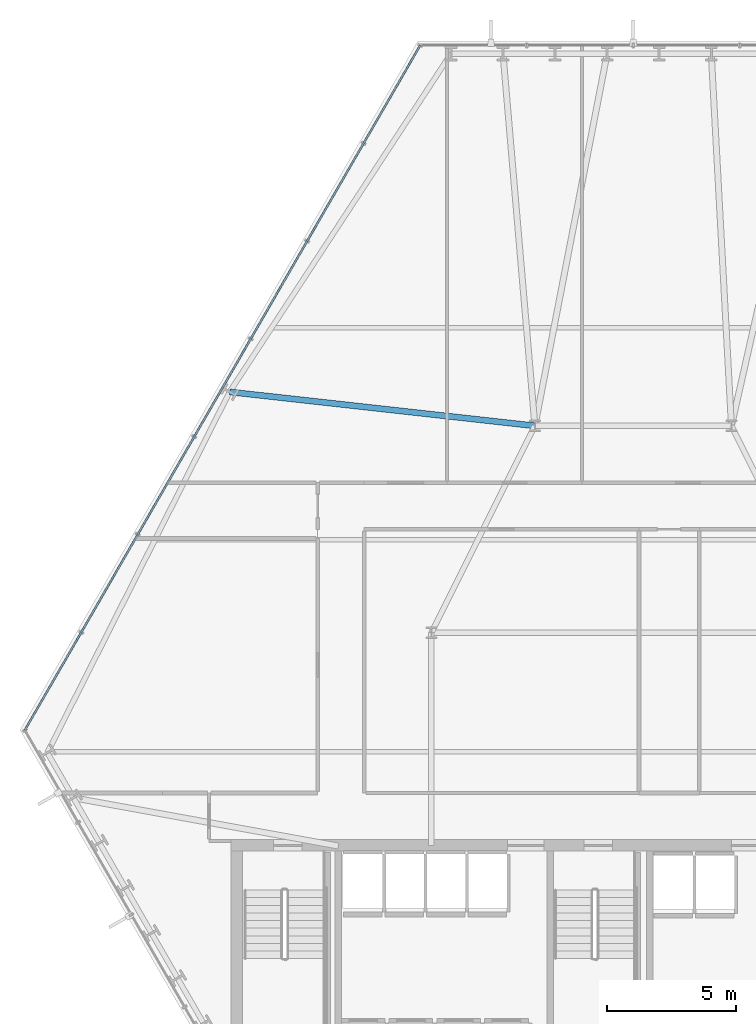
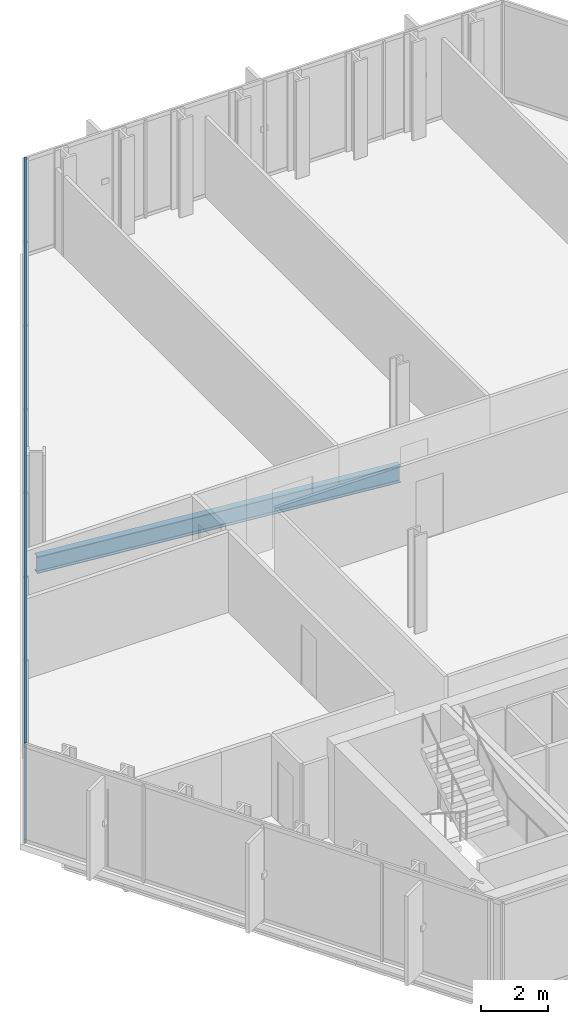
# One storey, part 11 of 33: 2 members, 1 beam, 1 element without a shape of its own.
"""IFC4 building model written with IfcOpenShell, lengths in metres."""

from ifc_helpers import new_model, si_unit, direction, frame, origin, origin_2d, place, context, subcontext, project, spatial, hollow_rectangle, i_section, extrude, material, layer, layer_set, material_profile, profile_set, type_object, element, aggregate, save


model = new_model("IFC4")

# Units and contexts
model_context = context("Model", 3, precision=1e-05, world=origin(), true_north=direction((0.0, 1.0)))
body_context = subcontext(model_context, "Body", "Model", "MODEL_VIEW")
ifc_project = project(units=[si_unit("LENGTHUNIT", "METRE"), si_unit("AREAUNIT", "SQUARE_METRE"), si_unit("VOLUMEUNIT", "CUBIC_METRE"), si_unit("PLANEANGLEUNIT", "RADIAN"), si_unit("MASSUNIT", "GRAM", prefix="KILO")], contexts=[model_context])

# Site, building, storey
site_placement = place(None, origin())
site = spatial("IfcSite", under=ifc_project, at=site_placement, CompositionType="ELEMENT")
building_placement = place(site_placement, origin())
building = spatial("IfcBuilding", under=site, at=building_placement, Name="Ndaravel Arena Tower", CompositionType="ELEMENT")
storey_placement = place(building_placement, frame((0.0, 0.0, 36.0)))
storey = spatial("IfcBuildingStorey", under=building, at=storey_placement, Name="L06", CompositionType="ELEMENT", Elevation=36.0)

# Beam
ifc_material_1 = material(Name="Steel S355", Category="steel")
ifc_material_profile_1 = material_profile(ifc_material_1, i_section(OverallWidth=0.230224609375, OverallDepth=0.6171875, WebThickness=0.01318359375, FlangeThickness=0.022216796875, FilletRadius=0.0126953125, at=origin_2d()), Name="UB 610x229x140")
ifc_profile_set_1 = profile_set([ifc_material_profile_1], Name="Steel S355")
beam_type = type_object("IfcBeamType", Name="BM-GIRD-UB610B", PredefinedType="BEAM", material=ifc_profile_set_1)
beam_placement = place(storey_placement, frame((26.394287109375, 32.510009765625, -0.528564453125), z_axis=(0.993899265506, -0.110291658919, 0.0), x_axis=(0.110291658919, 0.993899265506, 0.0)))
element("IfcBeam", 1, at=beam_placement, inside=storey, type_object=beam_type, Name="L06 Radial Floor Girder FG-19", PredefinedType="BEAM", context=body_context, shape_type="SweptSolid", body=[
    extrude(i_section(OverallWidth=0.230224609375, OverallDepth=0.6171875, WebThickness=0.01318359375, FlangeThickness=0.022216796875, FilletRadius=0.0126953125, at=origin_2d()), origin(), (0.0, 0.0, 1.0), 11.878173828125),
])

# Curtain wall, members
ifc_material_2 = material(Name="Aluminium", Category="aluminium")
ifc_layer = layer(ifc_material_2, 0.179931640625)
ifc_layer_set = layer_set([ifc_layer], Name="Aluminium")
curtain_wall_type = type_object("IfcCurtainWallType", Name="CW-SYS-03", PredefinedType="NOTDEFINED", material=ifc_layer_set)
curtain_wall_placement = place(storey_placement, origin())
curtain_wall = element("IfcCurtainWall", 2, at=curtain_wall_placement, inside=storey, type_object=curtain_wall_type, Name="L06 Faceted Crystal Curtain Wall CW-L06-E05", PredefinedType="NOTDEFINED")
ifc_material_3 = material(Name="Aluminium", Category="aluminium")
ifc_material_profile_2 = material_profile(ifc_material_3, hollow_rectangle(XDim=0.074951171875, YDim=0.14990234375, WallThickness=0.00390625, at=origin_2d()), Name="CW TRANSOM 75x150x4")
ifc_profile_set_2 = profile_set([ifc_material_profile_2], Name="Aluminium")
member_type = type_object("IfcMemberType", Name="MEM-CW-TRN150", PredefinedType="USERDEFINED", material=ifc_profile_set_2)
member_1_placement = place(storey_placement, frame((33.76123046875, 45.909912109375, 0.0400390625), z_axis=(-0.500002605586, -0.866023899444, 0.0), x_axis=(0.866023899444, -0.500002605586, 0.0)))
member_1 = element("IfcMember", 3, at=member_1_placement, type_object=member_type, Name="CW-L06-E05 Transom 01", ObjectType="TRANSOM", PredefinedType="USERDEFINED", context=body_context, shape_type="SweptSolid", body=[
    extrude(hollow_rectangle(XDim=0.074951171875, YDim=0.14990234375, WallThickness=0.00390625, at=origin_2d()), origin(), (0.0, 0.0, 1.0), 30.576416015625),
])
member_2_placement = place(storey_placement, frame((33.76123046875, 45.909912109375, 3.5400390625), z_axis=(-0.500002605586, -0.866023899444, 0.0), x_axis=(0.866023899444, -0.500002605586, 0.0)))
member_2 = element("IfcMember", 4, at=member_2_placement, type_object=member_type, Name="CW-L06-E05 Transom 02", ObjectType="TRANSOM", PredefinedType="USERDEFINED", context=body_context, shape_type="SweptSolid", body=[
    extrude(hollow_rectangle(XDim=0.074951171875, YDim=0.14990234375, WallThickness=0.00390625, at=origin_2d()), origin(), (0.0, 0.0, 1.0), 30.576416015625),
])
aggregate(curtain_wall, [member_1, member_2])

save(model, "model.ifc")
